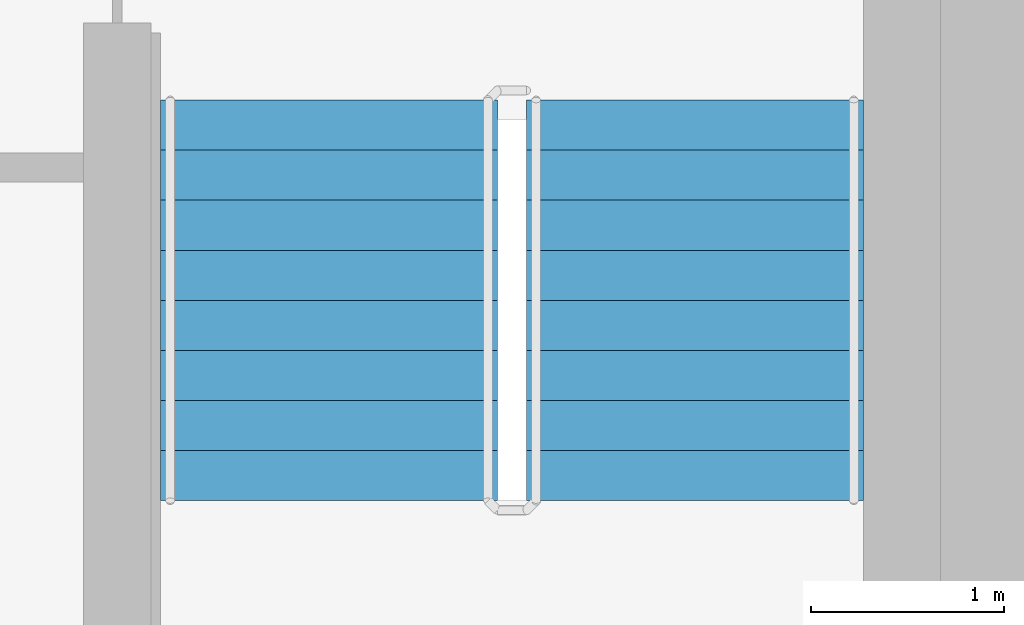
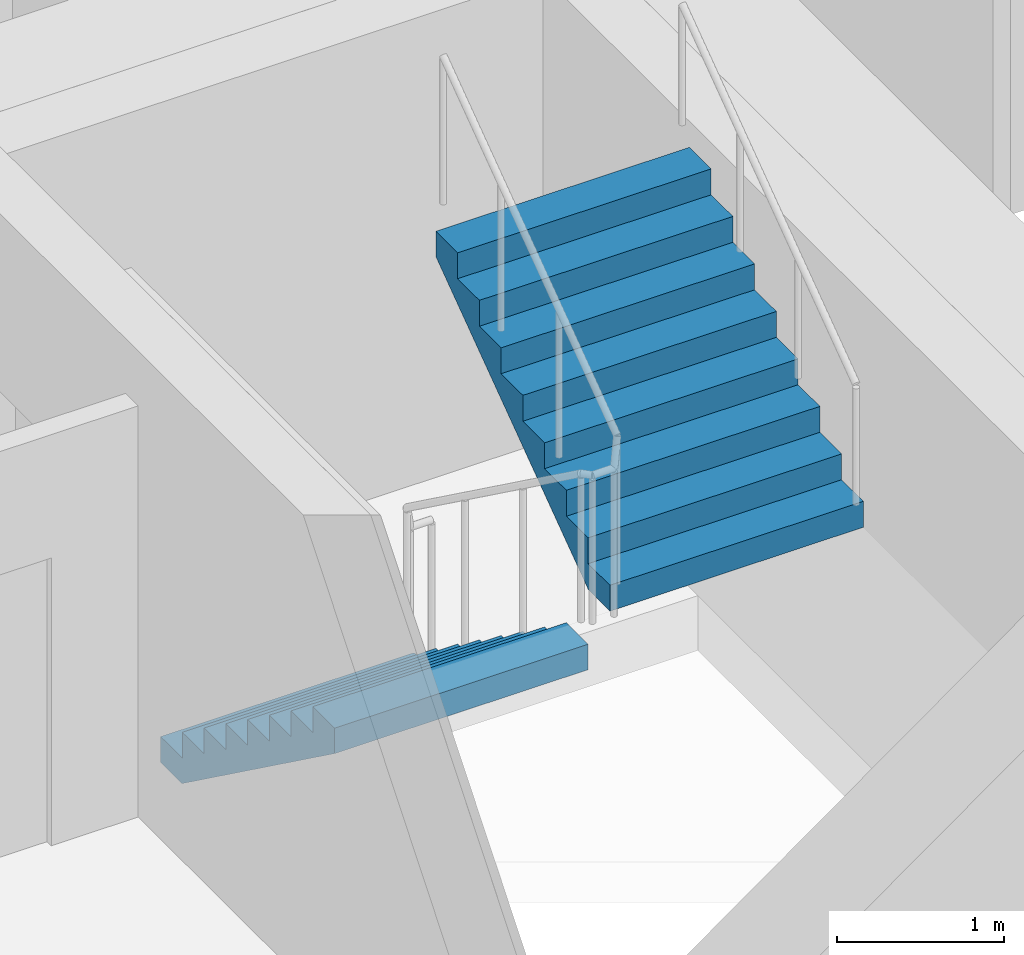
# One storey, part 14 of 18: 2 stair flights, 1 element without a shape of its own.
"""IFC4 building model written with IfcOpenShell, lengths in metres."""

from ifc_helpers import new_model, si_unit, direction, frame, origin, place, context, subcontext, project, spatial, faceted_brep, material, type_object, element, aggregate, save


model = new_model("IFC4")

# Units and contexts
model_context = context("Model", 3, precision=1e-05, world=origin(), true_north=direction((0.0, 1.0)))
body_context = subcontext(model_context, "Body", "Model", "MODEL_VIEW")
ifc_project = project(units=[si_unit("LENGTHUNIT", "METRE"), si_unit("AREAUNIT", "SQUARE_METRE"), si_unit("VOLUMEUNIT", "CUBIC_METRE"), si_unit("PLANEANGLEUNIT", "RADIAN"), si_unit("MASSUNIT", "GRAM", prefix="KILO")], contexts=[model_context])

# Site, building, storey
site_placement = place(None, origin())
site = spatial("IfcSite", under=ifc_project, at=site_placement, CompositionType="ELEMENT")
building_placement = place(site_placement, origin())
building = spatial("IfcBuilding", under=site, at=building_placement, Name="Ipe Terrace Towers", CompositionType="ELEMENT")
storey_placement = place(building_placement, frame((0.0, 0.0, 171.10009765625)))
storey = spatial("IfcBuildingStorey", under=building, at=storey_placement, Name="L47", CompositionType="ELEMENT", Elevation=171.10009765625)

# Stair, stair flights
ifc_material_1 = material(Name="Concrete C30/37", Category="concrete")
stair_type = type_object("IfcStairType", Name="Protected exit stair", PredefinedType="HALF_TURN_STAIR", material=ifc_material_1)
stair_placement = place(storey_placement, origin())
stair = element("IfcStair", 1, at=stair_placement, inside=storey, type_object=stair_type, Name="L47 Exit stair T2-C2", PredefinedType="HALF_TURN_STAIR")
ifc_material_2 = material(Name="Concrete C30/37", Category="concrete")
stair_flight_type = type_object("IfcStairFlightType", Name="Exit stair flight 1750", PredefinedType="STRAIGHT", material=ifc_material_2)
stair_flight_1_placement = place(storey_placement, frame((38.77490234375, -9.699951171875, 0.0), z_axis=(0.0, 0.0, 1.0), x_axis=(0.0, -1.0, 0.0)))
stair_flight_1 = element("IfcStairFlight", 2, at=stair_flight_1_placement, type_object=stair_flight_type, Name="T2-ST2 flight 1", NumberOfRisers=9, NumberOfTreads=8, PredefinedType="STRAIGHT", RiserHeight=0.188888889, TreadLength=0.26, context=body_context, shape_type="Brep", body=[
    faceted_brep([(0.255126953125, -0.875, 0.0), (2.080078125, -0.875, 1.325927734375), (2.080078125, -0.875, 1.51123046875), (1.820068359375, -0.875, 1.51123046875), (1.820068359375, -0.875, 1.322265625), (1.56005859375, -0.875, 1.322265625), (1.56005859375, -0.875, 1.13330078125), (1.300048828125, -0.875, 1.13330078125), (1.300048828125, -0.875, 0.9443359375), (1.0400390625, -0.875, 0.9443359375), (1.0400390625, -0.875, 0.755615234375), (0.780029296875, -0.875, 0.755615234375), (0.780029296875, -0.875, 0.566650390625), (0.52001953125, -0.875, 0.566650390625), (0.52001953125, -0.875, 0.377685546875), (0.260009765625, -0.875, 0.377685546875), (0.260009765625, -0.875, 0.18896484375), (0.0, -0.875, 0.18896484375), (0.0, -0.875, 0.0), (0.0, 0.875, 0.0), (0.0, 0.875, 0.18896484375), (0.260009765625, 0.875, 0.18896484375), (0.260009765625, 0.875, 0.377685546875), (0.52001953125, 0.875, 0.377685546875), (0.52001953125, 0.875, 0.566650390625), (0.780029296875, 0.875, 0.566650390625), (0.780029296875, 0.875, 0.755615234375), (1.0400390625, 0.875, 0.755615234375), (1.0400390625, 0.875, 0.9443359375), (1.300048828125, 0.875, 0.9443359375), (1.300048828125, 0.875, 1.13330078125), (1.56005859375, 0.875, 1.13330078125), (1.56005859375, 0.875, 1.322265625), (1.820068359375, 0.875, 1.322265625), (1.820068359375, 0.875, 1.51123046875), (2.080078125, 0.875, 1.51123046875), (2.080078125, 0.875, 1.325927734375), (0.255126953125, 0.875, 0.0), (0.0, -0.300048828125, 0.18896484375), (0.0, -0.1201171875, 0.18896484375), (0.0, -0.06005859375, 0.18896484375), (0.0, -0.030029296875, 0.18896484375), (0.0, -0.010009765625, 0.18896484375), (0.0, 0.0, 0.18896484375), (0.0, 0.010009765625, 0.18896484375), (0.0, 0.030029296875, 0.18896484375), (0.0, 0.06005859375, 0.18896484375), (0.0, 0.1201171875, 0.18896484375), (0.0, 0.300048828125, 0.18896484375), (0.0, 0.300048828125, 0.0), (0.0, 0.1201171875, 0.0), (0.0, 0.06005859375, 0.0), (0.0, 0.030029296875, 0.0), (0.0, 0.010009765625, 0.0), (0.0, 0.0, 0.0), (0.0, -0.010009765625, 0.0), (0.0, -0.030029296875, 0.0), (0.0, -0.06005859375, 0.0), (0.0, -0.1201171875, 0.0), (0.0, -0.300048828125, 0.0), (0.260009765625, -0.300048828125, 0.18896484375), (0.260009765625, -0.1201171875, 0.18896484375), (0.260009765625, -0.06005859375, 0.18896484375), (0.260009765625, -0.030029296875, 0.18896484375), (0.260009765625, -0.010009765625, 0.18896484375), (0.260009765625, 0.0, 0.18896484375), (0.260009765625, 0.010009765625, 0.18896484375), (0.260009765625, 0.030029296875, 0.18896484375), (0.260009765625, 0.06005859375, 0.18896484375), (0.260009765625, 0.1201171875, 0.18896484375), (0.260009765625, 0.300048828125, 0.18896484375), (0.260009765625, -0.300048828125, 0.377685546875), (0.260009765625, -0.1201171875, 0.377685546875), (0.260009765625, -0.06005859375, 0.377685546875), (0.260009765625, -0.030029296875, 0.377685546875), (0.260009765625, -0.010009765625, 0.377685546875), (0.260009765625, 0.0, 0.377685546875), (0.260009765625, 0.010009765625, 0.377685546875), (0.260009765625, 0.030029296875, 0.377685546875), (0.260009765625, 0.06005859375, 0.377685546875), (0.260009765625, 0.1201171875, 0.377685546875), (0.260009765625, 0.300048828125, 0.377685546875), (0.52001953125, -0.300048828125, 0.377685546875), (0.52001953125, -0.1201171875, 0.377685546875), (0.52001953125, -0.06005859375, 0.377685546875), (0.52001953125, -0.030029296875, 0.377685546875), (0.52001953125, -0.010009765625, 0.377685546875), (0.52001953125, 0.0, 0.377685546875), (0.52001953125, 0.010009765625, 0.377685546875), (0.52001953125, 0.030029296875, 0.377685546875), (0.52001953125, 0.06005859375, 0.377685546875), (0.52001953125, 0.1201171875, 0.377685546875), (0.52001953125, 0.300048828125, 0.377685546875), (0.52001953125, -0.300048828125, 0.566650390625), (0.52001953125, -0.1201171875, 0.566650390625), (0.52001953125, -0.06005859375, 0.566650390625), (0.52001953125, -0.030029296875, 0.566650390625), (0.52001953125, -0.010009765625, 0.566650390625), (0.52001953125, 0.0, 0.566650390625), (0.52001953125, 0.010009765625, 0.566650390625), (0.52001953125, 0.030029296875, 0.566650390625), (0.52001953125, 0.06005859375, 0.566650390625), (0.52001953125, 0.1201171875, 0.566650390625), (0.52001953125, 0.300048828125, 0.566650390625), (0.780029296875, -0.300048828125, 0.566650390625), (0.780029296875, -0.1201171875, 0.566650390625), (0.780029296875, -0.06005859375, 0.566650390625), (0.780029296875, -0.030029296875, 0.566650390625), (0.780029296875, -0.010009765625, 0.566650390625), (0.780029296875, 0.0, 0.566650390625), (0.780029296875, 0.010009765625, 0.566650390625), (0.780029296875, 0.030029296875, 0.566650390625), (0.780029296875, 0.06005859375, 0.566650390625), (0.780029296875, 0.1201171875, 0.566650390625), (0.780029296875, 0.300048828125, 0.566650390625), (0.780029296875, -0.300048828125, 0.755615234375), (0.780029296875, -0.1201171875, 0.755615234375), (0.780029296875, -0.06005859375, 0.755615234375), (0.780029296875, -0.030029296875, 0.755615234375), (0.780029296875, -0.010009765625, 0.755615234375), (0.780029296875, 0.0, 0.755615234375), (0.780029296875, 0.010009765625, 0.755615234375), (0.780029296875, 0.030029296875, 0.755615234375), (0.780029296875, 0.06005859375, 0.755615234375), (0.780029296875, 0.1201171875, 0.755615234375), (0.780029296875, 0.300048828125, 0.755615234375), (1.0400390625, -0.300048828125, 0.755615234375), (1.0400390625, -0.1201171875, 0.755615234375), (1.0400390625, -0.06005859375, 0.755615234375), (1.0400390625, -0.030029296875, 0.755615234375), (1.0400390625, -0.010009765625, 0.755615234375), (1.0400390625, 0.0, 0.755615234375), (1.0400390625, 0.010009765625, 0.755615234375), (1.0400390625, 0.030029296875, 0.755615234375), (1.0400390625, 0.06005859375, 0.755615234375), (1.0400390625, 0.1201171875, 0.755615234375), (1.0400390625, 0.300048828125, 0.755615234375), (1.0400390625, -0.300048828125, 0.9443359375), (1.0400390625, -0.1201171875, 0.9443359375), (1.0400390625, -0.06005859375, 0.9443359375), (1.0400390625, -0.030029296875, 0.9443359375), (1.0400390625, -0.010009765625, 0.9443359375), (1.0400390625, 0.0, 0.9443359375), (1.0400390625, 0.010009765625, 0.9443359375), (1.0400390625, 0.030029296875, 0.9443359375), (1.0400390625, 0.06005859375, 0.9443359375), (1.0400390625, 0.1201171875, 0.9443359375), (1.0400390625, 0.300048828125, 0.9443359375), (1.300048828125, -0.300048828125, 0.9443359375), (1.300048828125, -0.1201171875, 0.9443359375), (1.300048828125, -0.06005859375, 0.9443359375), (1.300048828125, -0.030029296875, 0.9443359375), (1.300048828125, -0.010009765625, 0.9443359375), (1.300048828125, 0.0, 0.9443359375), (1.300048828125, 0.010009765625, 0.9443359375), (1.300048828125, 0.030029296875, 0.9443359375), (1.300048828125, 0.06005859375, 0.9443359375), (1.300048828125, 0.1201171875, 0.9443359375), (1.300048828125, 0.300048828125, 0.9443359375), (1.300048828125, -0.300048828125, 1.13330078125), (1.300048828125, -0.1201171875, 1.13330078125), (1.300048828125, -0.06005859375, 1.13330078125), (1.300048828125, -0.030029296875, 1.13330078125), (1.300048828125, -0.010009765625, 1.13330078125), (1.300048828125, 0.0, 1.13330078125), (1.300048828125, 0.010009765625, 1.13330078125), (1.300048828125, 0.030029296875, 1.13330078125), (1.300048828125, 0.06005859375, 1.13330078125), (1.300048828125, 0.1201171875, 1.13330078125), (1.300048828125, 0.300048828125, 1.13330078125), (1.56005859375, -0.300048828125, 1.13330078125), (1.56005859375, -0.1201171875, 1.13330078125), (1.56005859375, -0.06005859375, 1.13330078125), (1.56005859375, -0.030029296875, 1.13330078125), (1.56005859375, -0.010009765625, 1.13330078125), (1.56005859375, 0.0, 1.13330078125), (1.56005859375, 0.010009765625, 1.13330078125), (1.56005859375, 0.030029296875, 1.13330078125), (1.56005859375, 0.06005859375, 1.13330078125), (1.56005859375, 0.1201171875, 1.13330078125), (1.56005859375, 0.300048828125, 1.13330078125), (1.56005859375, -0.300048828125, 1.322265625), (1.56005859375, -0.1201171875, 1.322265625), (1.56005859375, -0.06005859375, 1.322265625), (1.56005859375, -0.030029296875, 1.322265625), (1.56005859375, -0.010009765625, 1.322265625), (1.56005859375, 0.0, 1.322265625), (1.56005859375, 0.010009765625, 1.322265625), (1.56005859375, 0.030029296875, 1.322265625), (1.56005859375, 0.06005859375, 1.322265625), (1.56005859375, 0.1201171875, 1.322265625), (1.56005859375, 0.300048828125, 1.322265625), (1.820068359375, -0.300048828125, 1.322265625), (1.820068359375, -0.1201171875, 1.322265625), (1.820068359375, -0.06005859375, 1.322265625), (1.820068359375, -0.030029296875, 1.322265625), (1.820068359375, -0.010009765625, 1.322265625), (1.820068359375, 0.0, 1.322265625), (1.820068359375, 0.010009765625, 1.322265625), (1.820068359375, 0.030029296875, 1.322265625), (1.820068359375, 0.06005859375, 1.322265625), (1.820068359375, 0.1201171875, 1.322265625), (1.820068359375, 0.300048828125, 1.322265625), (1.820068359375, -0.300048828125, 1.51123046875), (1.820068359375, -0.1201171875, 1.51123046875), (1.820068359375, -0.06005859375, 1.51123046875), (1.820068359375, -0.030029296875, 1.51123046875), (1.820068359375, -0.010009765625, 1.51123046875), (1.820068359375, 0.0, 1.51123046875), (1.820068359375, 0.010009765625, 1.51123046875), (1.820068359375, 0.030029296875, 1.51123046875), (1.820068359375, 0.06005859375, 1.51123046875), (1.820068359375, 0.1201171875, 1.51123046875), (1.820068359375, 0.300048828125, 1.51123046875), (2.080078125, -0.300048828125, 1.51123046875), (2.080078125, -0.1201171875, 1.51123046875), (2.080078125, -0.06005859375, 1.51123046875), (2.080078125, -0.030029296875, 1.51123046875), (2.080078125, -0.010009765625, 1.51123046875), (2.080078125, 0.0, 1.51123046875), (2.080078125, 0.010009765625, 1.51123046875), (2.080078125, 0.030029296875, 1.51123046875), (2.080078125, 0.06005859375, 1.51123046875), (2.080078125, 0.1201171875, 1.51123046875), (2.080078125, 0.300048828125, 1.51123046875), (2.080078125, -0.300048828125, 1.325927734375), (2.080078125, -0.1201171875, 1.325927734375), (2.080078125, -0.06005859375, 1.325927734375), (2.080078125, -0.030029296875, 1.325927734375), (2.080078125, -0.010009765625, 1.325927734375), (2.080078125, 0.0, 1.325927734375), (2.080078125, 0.010009765625, 1.325927734375), (2.080078125, 0.030029296875, 1.325927734375), (2.080078125, 0.06005859375, 1.325927734375), (2.080078125, 0.1201171875, 1.325927734375), (2.080078125, 0.300048828125, 1.325927734375), (0.255126953125, -0.300048828125, 0.0), (0.255126953125, -0.1201171875, 0.0), (0.255126953125, -0.06005859375, 0.0), (0.255126953125, -0.030029296875, 0.0), (0.255126953125, -0.010009765625, 0.0), (0.255126953125, 0.0, 0.0), (0.255126953125, 0.010009765625, 0.0), (0.255126953125, 0.030029296875, 0.0), (0.255126953125, 0.06005859375, 0.0), (0.255126953125, 0.1201171875, 0.0), (0.255126953125, 0.300048828125, 0.0)], [[[0, 1, 2, 3, 4, 5, 6, 7, 8, 9, 10, 11, 12, 13, 14, 15, 16, 17, 18]], [[19, 20, 21, 22, 23, 24, 25, 26, 27, 28, 29, 30, 31, 32, 33, 34, 35, 36, 37]], [[17, 38, 39, 40, 41, 42, 43, 44, 45, 46, 47, 48, 20, 19, 49, 50, 51, 52, 53, 54, 55, 56, 57, 58, 59, 18]], [[16, 60, 61, 62, 63, 64, 65, 66, 67, 68, 69, 70, 21, 20, 48, 47, 46, 45, 44, 43, 42, 41, 40, 39, 38, 17]], [[15, 71, 72, 73, 74, 75, 76, 77, 78, 79, 80, 81, 22, 21, 70, 69, 68, 67, 66, 65, 64, 63, 62, 61, 60, 16]], [[14, 82, 83, 84, 85, 86, 87, 88, 89, 90, 91, 92, 23, 22, 81, 80, 79, 78, 77, 76, 75, 74, 73, 72, 71, 15]], [[13, 93, 94, 95, 96, 97, 98, 99, 100, 101, 102, 103, 24, 23, 92, 91, 90, 89, 88, 87, 86, 85, 84, 83, 82, 14]], [[12, 104, 105, 106, 107, 108, 109, 110, 111, 112, 113, 114, 25, 24, 103, 102, 101, 100, 99, 98, 97, 96, 95, 94, 93, 13]], [[11, 115, 116, 117, 118, 119, 120, 121, 122, 123, 124, 125, 26, 25, 114, 113, 112, 111, 110, 109, 108, 107, 106, 105, 104, 12]], [[10, 126, 127, 128, 129, 130, 131, 132, 133, 134, 135, 136, 27, 26, 125, 124, 123, 122, 121, 120, 119, 118, 117, 116, 115, 11]], [[9, 137, 138, 139, 140, 141, 142, 143, 144, 145, 146, 147, 28, 27, 136, 135, 134, 133, 132, 131, 130, 129, 128, 127, 126, 10]], [[8, 148, 149, 150, 151, 152, 153, 154, 155, 156, 157, 158, 29, 28, 147, 146, 145, 144, 143, 142, 141, 140, 139, 138, 137, 9]], [[7, 159, 160, 161, 162, 163, 164, 165, 166, 167, 168, 169, 30, 29, 158, 157, 156, 155, 154, 153, 152, 151, 150, 149, 148, 8]], [[6, 170, 171, 172, 173, 174, 175, 176, 177, 178, 179, 180, 31, 30, 169, 168, 167, 166, 165, 164, 163, 162, 161, 160, 159, 7]], [[5, 181, 182, 183, 184, 185, 186, 187, 188, 189, 190, 191, 32, 31, 180, 179, 178, 177, 176, 175, 174, 173, 172, 171, 170, 6]], [[4, 192, 193, 194, 195, 196, 197, 198, 199, 200, 201, 202, 33, 32, 191, 190, 189, 188, 187, 186, 185, 184, 183, 182, 181, 5]], [[3, 203, 204, 205, 206, 207, 208, 209, 210, 211, 212, 213, 34, 33, 202, 201, 200, 199, 198, 197, 196, 195, 194, 193, 192, 4]], [[2, 214, 215, 216, 217, 218, 219, 220, 221, 222, 223, 224, 35, 34, 213, 212, 211, 210, 209, 208, 207, 206, 205, 204, 203, 3]], [[1, 225, 226, 227, 228, 229, 230, 231, 232, 233, 234, 235, 36, 35, 224, 223, 222, 221, 220, 219, 218, 217, 216, 215, 214, 2]], [[0, 236, 237, 238, 239, 240, 241, 242, 243, 244, 245, 246, 37, 36, 235, 234, 233, 232, 231, 230, 229, 228, 227, 226, 225, 1]], [[18, 59, 58, 57, 56, 55, 54, 53, 52, 51, 50, 49, 19, 37, 246, 245, 244, 243, 242, 241, 240, 239, 238, 237, 236, 0]]]),
])
stair_flight_2_placement = place(storey_placement, frame((40.675048828125, -11.780029296875, 1.699951171875), z_axis=(0.0, 0.0, 1.0), x_axis=(0.0, 1.0, 0.0)))
stair_flight_2 = element("IfcStairFlight", 3, at=stair_flight_2_placement, type_object=stair_flight_type, Name="T2-ST2 flight 2", NumberOfRisers=9, NumberOfTreads=8, PredefinedType="STRAIGHT", RiserHeight=0.188888889, TreadLength=0.26, context=body_context, shape_type="Brep", body=[
    faceted_brep([(0.255126953125, -0.875, 0.0), (2.080078125, -0.875, 1.325927734375), (2.080078125, -0.875, 1.51123046875), (1.820068359375, -0.875, 1.51123046875), (1.820068359375, -0.875, 1.322265625), (1.56005859375, -0.875, 1.322265625), (1.56005859375, -0.875, 1.13330078125), (1.300048828125, -0.875, 1.13330078125), (1.300048828125, -0.875, 0.9443359375), (1.0400390625, -0.875, 0.9443359375), (1.0400390625, -0.875, 0.755615234375), (0.780029296875, -0.875, 0.755615234375), (0.780029296875, -0.875, 0.566650390625), (0.52001953125, -0.875, 0.566650390625), (0.52001953125, -0.875, 0.377685546875), (0.260009765625, -0.875, 0.377685546875), (0.260009765625, -0.875, 0.18896484375), (0.0, -0.875, 0.18896484375), (0.0, -0.875, 0.0), (0.0, 0.875, 0.0), (0.0, 0.875, 0.18896484375), (0.260009765625, 0.875, 0.18896484375), (0.260009765625, 0.875, 0.377685546875), (0.52001953125, 0.875, 0.377685546875), (0.52001953125, 0.875, 0.566650390625), (0.780029296875, 0.875, 0.566650390625), (0.780029296875, 0.875, 0.755615234375), (1.0400390625, 0.875, 0.755615234375), (1.0400390625, 0.875, 0.9443359375), (1.300048828125, 0.875, 0.9443359375), (1.300048828125, 0.875, 1.13330078125), (1.56005859375, 0.875, 1.13330078125), (1.56005859375, 0.875, 1.322265625), (1.820068359375, 0.875, 1.322265625), (1.820068359375, 0.875, 1.51123046875), (2.080078125, 0.875, 1.51123046875), (2.080078125, 0.875, 1.325927734375), (0.255126953125, 0.875, 0.0), (0.0, -0.300048828125, 0.18896484375), (0.0, -0.1201171875, 0.18896484375), (0.0, -0.06005859375, 0.18896484375), (0.0, -0.030029296875, 0.18896484375), (0.0, -0.010009765625, 0.18896484375), (0.0, 0.0, 0.18896484375), (0.0, 0.010009765625, 0.18896484375), (0.0, 0.030029296875, 0.18896484375), (0.0, 0.06005859375, 0.18896484375), (0.0, 0.1201171875, 0.18896484375), (0.0, 0.300048828125, 0.18896484375), (0.0, 0.300048828125, 0.0), (0.0, 0.1201171875, 0.0), (0.0, 0.06005859375, 0.0), (0.0, 0.030029296875, 0.0), (0.0, 0.010009765625, 0.0), (0.0, 0.0, 0.0), (0.0, -0.010009765625, 0.0), (0.0, -0.030029296875, 0.0), (0.0, -0.06005859375, 0.0), (0.0, -0.1201171875, 0.0), (0.0, -0.300048828125, 0.0), (0.260009765625, -0.300048828125, 0.18896484375), (0.260009765625, -0.1201171875, 0.18896484375), (0.260009765625, -0.06005859375, 0.18896484375), (0.260009765625, -0.030029296875, 0.18896484375), (0.260009765625, -0.010009765625, 0.18896484375), (0.260009765625, 0.0, 0.18896484375), (0.260009765625, 0.010009765625, 0.18896484375), (0.260009765625, 0.030029296875, 0.18896484375), (0.260009765625, 0.06005859375, 0.18896484375), (0.260009765625, 0.1201171875, 0.18896484375), (0.260009765625, 0.300048828125, 0.18896484375), (0.260009765625, -0.300048828125, 0.377685546875), (0.260009765625, -0.1201171875, 0.377685546875), (0.260009765625, -0.06005859375, 0.377685546875), (0.260009765625, -0.030029296875, 0.377685546875), (0.260009765625, -0.010009765625, 0.377685546875), (0.260009765625, 0.0, 0.377685546875), (0.260009765625, 0.010009765625, 0.377685546875), (0.260009765625, 0.030029296875, 0.377685546875), (0.260009765625, 0.06005859375, 0.377685546875), (0.260009765625, 0.1201171875, 0.377685546875), (0.260009765625, 0.300048828125, 0.377685546875), (0.52001953125, -0.300048828125, 0.377685546875), (0.52001953125, -0.1201171875, 0.377685546875), (0.52001953125, -0.06005859375, 0.377685546875), (0.52001953125, -0.030029296875, 0.377685546875), (0.52001953125, -0.010009765625, 0.377685546875), (0.52001953125, 0.0, 0.377685546875), (0.52001953125, 0.010009765625, 0.377685546875), (0.52001953125, 0.030029296875, 0.377685546875), (0.52001953125, 0.06005859375, 0.377685546875), (0.52001953125, 0.1201171875, 0.377685546875), (0.52001953125, 0.300048828125, 0.377685546875), (0.52001953125, -0.300048828125, 0.566650390625), (0.52001953125, -0.1201171875, 0.566650390625), (0.52001953125, -0.06005859375, 0.566650390625), (0.52001953125, -0.030029296875, 0.566650390625), (0.52001953125, -0.010009765625, 0.566650390625), (0.52001953125, 0.0, 0.566650390625), (0.52001953125, 0.010009765625, 0.566650390625), (0.52001953125, 0.030029296875, 0.566650390625), (0.52001953125, 0.06005859375, 0.566650390625), (0.52001953125, 0.1201171875, 0.566650390625), (0.52001953125, 0.300048828125, 0.566650390625), (0.780029296875, -0.300048828125, 0.566650390625), (0.780029296875, -0.1201171875, 0.566650390625), (0.780029296875, -0.06005859375, 0.566650390625), (0.780029296875, -0.030029296875, 0.566650390625), (0.780029296875, -0.010009765625, 0.566650390625), (0.780029296875, 0.0, 0.566650390625), (0.780029296875, 0.010009765625, 0.566650390625), (0.780029296875, 0.030029296875, 0.566650390625), (0.780029296875, 0.06005859375, 0.566650390625), (0.780029296875, 0.1201171875, 0.566650390625), (0.780029296875, 0.300048828125, 0.566650390625), (0.780029296875, -0.300048828125, 0.755615234375), (0.780029296875, -0.1201171875, 0.755615234375), (0.780029296875, -0.06005859375, 0.755615234375), (0.780029296875, -0.030029296875, 0.755615234375), (0.780029296875, -0.010009765625, 0.755615234375), (0.780029296875, 0.0, 0.755615234375), (0.780029296875, 0.010009765625, 0.755615234375), (0.780029296875, 0.030029296875, 0.755615234375), (0.780029296875, 0.06005859375, 0.755615234375), (0.780029296875, 0.1201171875, 0.755615234375), (0.780029296875, 0.300048828125, 0.755615234375), (1.0400390625, -0.300048828125, 0.755615234375), (1.0400390625, -0.1201171875, 0.755615234375), (1.0400390625, -0.06005859375, 0.755615234375), (1.0400390625, -0.030029296875, 0.755615234375), (1.0400390625, -0.010009765625, 0.755615234375), (1.0400390625, 0.0, 0.755615234375), (1.0400390625, 0.010009765625, 0.755615234375), (1.0400390625, 0.030029296875, 0.755615234375), (1.0400390625, 0.06005859375, 0.755615234375), (1.0400390625, 0.1201171875, 0.755615234375), (1.0400390625, 0.300048828125, 0.755615234375), (1.0400390625, -0.300048828125, 0.9443359375), (1.0400390625, -0.1201171875, 0.9443359375), (1.0400390625, -0.06005859375, 0.9443359375), (1.0400390625, -0.030029296875, 0.9443359375), (1.0400390625, -0.010009765625, 0.9443359375), (1.0400390625, 0.0, 0.9443359375), (1.0400390625, 0.010009765625, 0.9443359375), (1.0400390625, 0.030029296875, 0.9443359375), (1.0400390625, 0.06005859375, 0.9443359375), (1.0400390625, 0.1201171875, 0.9443359375), (1.0400390625, 0.300048828125, 0.9443359375), (1.300048828125, -0.300048828125, 0.9443359375), (1.300048828125, -0.1201171875, 0.9443359375), (1.300048828125, -0.06005859375, 0.9443359375), (1.300048828125, -0.030029296875, 0.9443359375), (1.300048828125, -0.010009765625, 0.9443359375), (1.300048828125, 0.0, 0.9443359375), (1.300048828125, 0.010009765625, 0.9443359375), (1.300048828125, 0.030029296875, 0.9443359375), (1.300048828125, 0.06005859375, 0.9443359375), (1.300048828125, 0.1201171875, 0.9443359375), (1.300048828125, 0.300048828125, 0.9443359375), (1.300048828125, -0.300048828125, 1.13330078125), (1.300048828125, -0.1201171875, 1.13330078125), (1.300048828125, -0.06005859375, 1.13330078125), (1.300048828125, -0.030029296875, 1.13330078125), (1.300048828125, -0.010009765625, 1.13330078125), (1.300048828125, 0.0, 1.13330078125), (1.300048828125, 0.010009765625, 1.13330078125), (1.300048828125, 0.030029296875, 1.13330078125), (1.300048828125, 0.06005859375, 1.13330078125), (1.300048828125, 0.1201171875, 1.13330078125), (1.300048828125, 0.300048828125, 1.13330078125), (1.56005859375, -0.300048828125, 1.13330078125), (1.56005859375, -0.1201171875, 1.13330078125), (1.56005859375, -0.06005859375, 1.13330078125), (1.56005859375, -0.030029296875, 1.13330078125), (1.56005859375, -0.010009765625, 1.13330078125), (1.56005859375, 0.0, 1.13330078125), (1.56005859375, 0.010009765625, 1.13330078125), (1.56005859375, 0.030029296875, 1.13330078125), (1.56005859375, 0.06005859375, 1.13330078125), (1.56005859375, 0.1201171875, 1.13330078125), (1.56005859375, 0.300048828125, 1.13330078125), (1.56005859375, -0.300048828125, 1.322265625), (1.56005859375, -0.1201171875, 1.322265625), (1.56005859375, -0.06005859375, 1.322265625), (1.56005859375, -0.030029296875, 1.322265625), (1.56005859375, -0.010009765625, 1.322265625), (1.56005859375, 0.0, 1.322265625), (1.56005859375, 0.010009765625, 1.322265625), (1.56005859375, 0.030029296875, 1.322265625), (1.56005859375, 0.06005859375, 1.322265625), (1.56005859375, 0.1201171875, 1.322265625), (1.56005859375, 0.300048828125, 1.322265625), (1.820068359375, -0.300048828125, 1.322265625), (1.820068359375, -0.1201171875, 1.322265625), (1.820068359375, -0.06005859375, 1.322265625), (1.820068359375, -0.030029296875, 1.322265625), (1.820068359375, -0.010009765625, 1.322265625), (1.820068359375, 0.0, 1.322265625), (1.820068359375, 0.010009765625, 1.322265625), (1.820068359375, 0.030029296875, 1.322265625), (1.820068359375, 0.06005859375, 1.322265625), (1.820068359375, 0.1201171875, 1.322265625), (1.820068359375, 0.300048828125, 1.322265625), (1.820068359375, -0.300048828125, 1.51123046875), (1.820068359375, -0.1201171875, 1.51123046875), (1.820068359375, -0.06005859375, 1.51123046875), (1.820068359375, -0.030029296875, 1.51123046875), (1.820068359375, -0.010009765625, 1.51123046875), (1.820068359375, 0.0, 1.51123046875), (1.820068359375, 0.010009765625, 1.51123046875), (1.820068359375, 0.030029296875, 1.51123046875), (1.820068359375, 0.06005859375, 1.51123046875), (1.820068359375, 0.1201171875, 1.51123046875), (1.820068359375, 0.300048828125, 1.51123046875), (2.080078125, -0.300048828125, 1.51123046875), (2.080078125, -0.1201171875, 1.51123046875), (2.080078125, -0.06005859375, 1.51123046875), (2.080078125, -0.030029296875, 1.51123046875), (2.080078125, -0.010009765625, 1.51123046875), (2.080078125, 0.0, 1.51123046875), (2.080078125, 0.010009765625, 1.51123046875), (2.080078125, 0.030029296875, 1.51123046875), (2.080078125, 0.06005859375, 1.51123046875), (2.080078125, 0.1201171875, 1.51123046875), (2.080078125, 0.300048828125, 1.51123046875), (2.080078125, -0.300048828125, 1.325927734375), (2.080078125, -0.1201171875, 1.325927734375), (2.080078125, -0.06005859375, 1.325927734375), (2.080078125, -0.030029296875, 1.325927734375), (2.080078125, -0.010009765625, 1.325927734375), (2.080078125, 0.0, 1.325927734375), (2.080078125, 0.010009765625, 1.325927734375), (2.080078125, 0.030029296875, 1.325927734375), (2.080078125, 0.06005859375, 1.325927734375), (2.080078125, 0.1201171875, 1.325927734375), (2.080078125, 0.300048828125, 1.325927734375), (0.255126953125, -0.300048828125, 0.0), (0.255126953125, -0.1201171875, 0.0), (0.255126953125, -0.06005859375, 0.0), (0.255126953125, -0.030029296875, 0.0), (0.255126953125, -0.010009765625, 0.0), (0.255126953125, 0.0, 0.0), (0.255126953125, 0.010009765625, 0.0), (0.255126953125, 0.030029296875, 0.0), (0.255126953125, 0.06005859375, 0.0), (0.255126953125, 0.1201171875, 0.0), (0.255126953125, 0.300048828125, 0.0)], [[[0, 1, 2, 3, 4, 5, 6, 7, 8, 9, 10, 11, 12, 13, 14, 15, 16, 17, 18]], [[19, 20, 21, 22, 23, 24, 25, 26, 27, 28, 29, 30, 31, 32, 33, 34, 35, 36, 37]], [[17, 38, 39, 40, 41, 42, 43, 44, 45, 46, 47, 48, 20, 19, 49, 50, 51, 52, 53, 54, 55, 56, 57, 58, 59, 18]], [[16, 60, 61, 62, 63, 64, 65, 66, 67, 68, 69, 70, 21, 20, 48, 47, 46, 45, 44, 43, 42, 41, 40, 39, 38, 17]], [[15, 71, 72, 73, 74, 75, 76, 77, 78, 79, 80, 81, 22, 21, 70, 69, 68, 67, 66, 65, 64, 63, 62, 61, 60, 16]], [[14, 82, 83, 84, 85, 86, 87, 88, 89, 90, 91, 92, 23, 22, 81, 80, 79, 78, 77, 76, 75, 74, 73, 72, 71, 15]], [[13, 93, 94, 95, 96, 97, 98, 99, 100, 101, 102, 103, 24, 23, 92, 91, 90, 89, 88, 87, 86, 85, 84, 83, 82, 14]], [[12, 104, 105, 106, 107, 108, 109, 110, 111, 112, 113, 114, 25, 24, 103, 102, 101, 100, 99, 98, 97, 96, 95, 94, 93, 13]], [[11, 115, 116, 117, 118, 119, 120, 121, 122, 123, 124, 125, 26, 25, 114, 113, 112, 111, 110, 109, 108, 107, 106, 105, 104, 12]], [[10, 126, 127, 128, 129, 130, 131, 132, 133, 134, 135, 136, 27, 26, 125, 124, 123, 122, 121, 120, 119, 118, 117, 116, 115, 11]], [[9, 137, 138, 139, 140, 141, 142, 143, 144, 145, 146, 147, 28, 27, 136, 135, 134, 133, 132, 131, 130, 129, 128, 127, 126, 10]], [[8, 148, 149, 150, 151, 152, 153, 154, 155, 156, 157, 158, 29, 28, 147, 146, 145, 144, 143, 142, 141, 140, 139, 138, 137, 9]], [[7, 159, 160, 161, 162, 163, 164, 165, 166, 167, 168, 169, 30, 29, 158, 157, 156, 155, 154, 153, 152, 151, 150, 149, 148, 8]], [[6, 170, 171, 172, 173, 174, 175, 176, 177, 178, 179, 180, 31, 30, 169, 168, 167, 166, 165, 164, 163, 162, 161, 160, 159, 7]], [[5, 181, 182, 183, 184, 185, 186, 187, 188, 189, 190, 191, 32, 31, 180, 179, 178, 177, 176, 175, 174, 173, 172, 171, 170, 6]], [[4, 192, 193, 194, 195, 196, 197, 198, 199, 200, 201, 202, 33, 32, 191, 190, 189, 188, 187, 186, 185, 184, 183, 182, 181, 5]], [[3, 203, 204, 205, 206, 207, 208, 209, 210, 211, 212, 213, 34, 33, 202, 201, 200, 199, 198, 197, 196, 195, 194, 193, 192, 4]], [[2, 214, 215, 216, 217, 218, 219, 220, 221, 222, 223, 224, 35, 34, 213, 212, 211, 210, 209, 208, 207, 206, 205, 204, 203, 3]], [[1, 225, 226, 227, 228, 229, 230, 231, 232, 233, 234, 235, 36, 35, 224, 223, 222, 221, 220, 219, 218, 217, 216, 215, 214, 2]], [[0, 236, 237, 238, 239, 240, 241, 242, 243, 244, 245, 246, 37, 36, 235, 234, 233, 232, 231, 230, 229, 228, 227, 226, 225, 1]], [[18, 59, 58, 57, 56, 55, 54, 53, 52, 51, 50, 49, 19, 37, 246, 245, 244, 243, 242, 241, 240, 239, 238, 237, 236, 0]]]),
])
aggregate(stair, [stair_flight_1, stair_flight_2])

save(model, "model.ifc")
